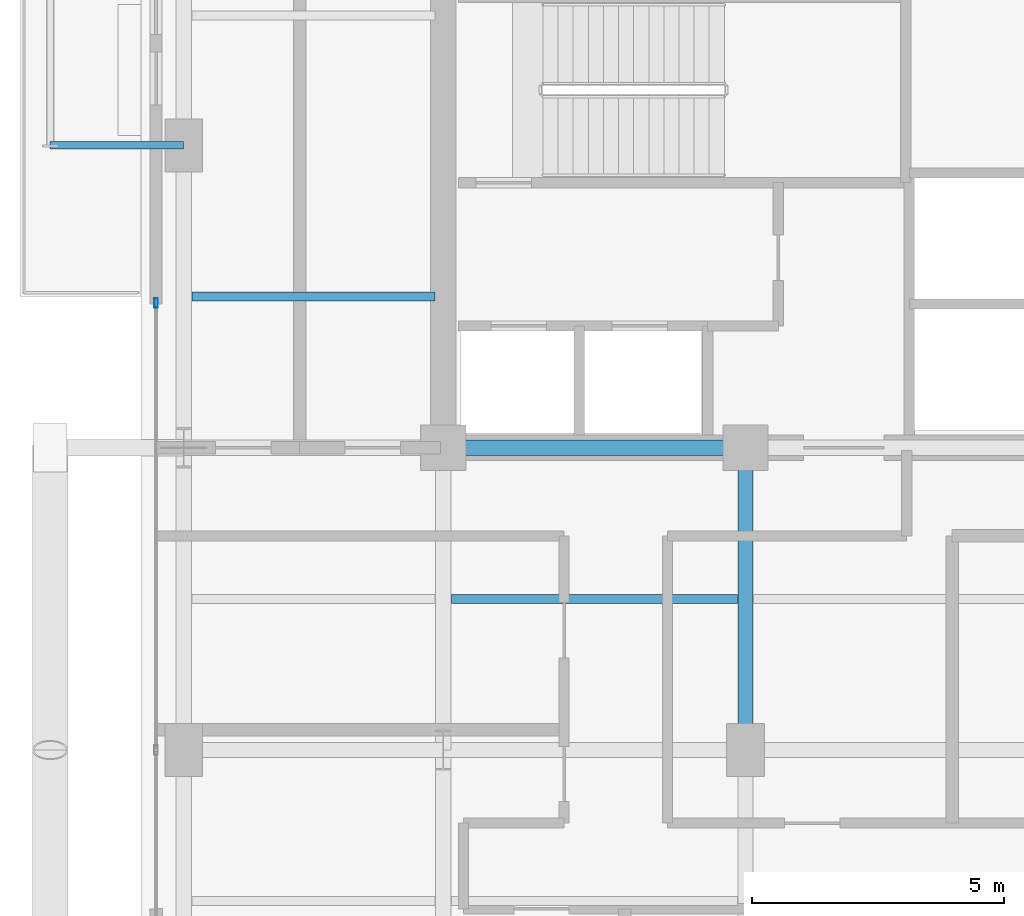
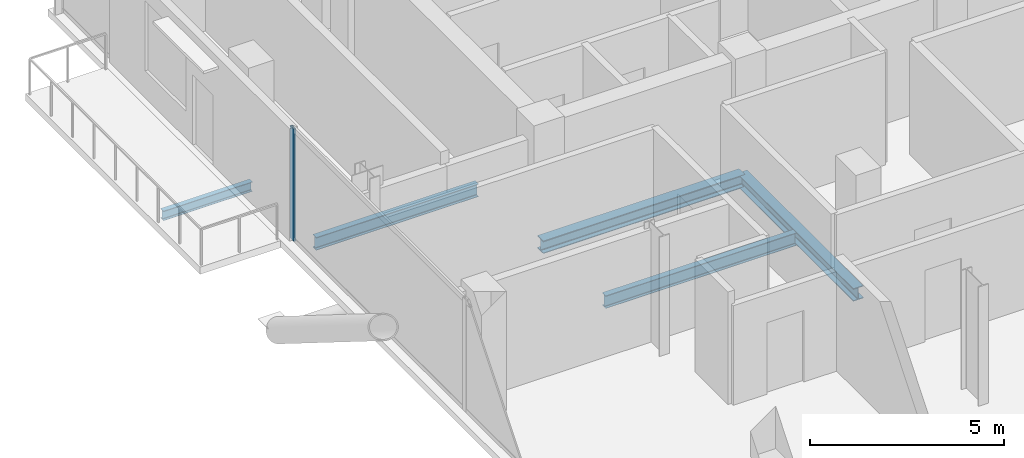
# One storey, part 7 of 26: 5 beams, 1 member, 1 element without a shape of its own.
"""IFC4 building model written with IfcOpenShell, lengths in metres."""

from ifc_helpers import new_model, si_unit, direction, frame, origin, origin_2d, place, context, subcontext, project, spatial, hollow_rectangle, i_section, extrude, material, layer, layer_set, material_profile, profile_set, type_object, element, aggregate, save


model = new_model("IFC4")

# Units and contexts
model_context = context("Model", 3, precision=1e-05, world=origin(), true_north=direction((0.0, 1.0)))
body_context = subcontext(model_context, "Body", "Model", "MODEL_VIEW")
ifc_project = project(units=[si_unit("LENGTHUNIT", "METRE"), si_unit("AREAUNIT", "SQUARE_METRE"), si_unit("VOLUMEUNIT", "CUBIC_METRE"), si_unit("PLANEANGLEUNIT", "RADIAN"), si_unit("MASSUNIT", "GRAM", prefix="KILO"), si_unit("THERMODYNAMICTEMPERATUREUNIT", "KELVIN"), si_unit("POWERUNIT", "WATT")], contexts=[model_context])

# Site, building, storey
site_placement = place(None, origin())
site = spatial("IfcSite", under=ifc_project, at=site_placement, CompositionType="ELEMENT")
building_placement = place(site_placement, origin())
building = spatial("IfcBuilding", under=site, at=building_placement, Name="Svarakhadi Broadcast Tower", CompositionType="ELEMENT")
storey_placement = place(building_placement, frame((0.0, 0.0, 180.449951171875)))
storey = spatial("IfcBuildingStorey", under=building, at=storey_placement, Name="L44", CompositionType="ELEMENT", Elevation=180.449951171875)

# Beams
ifc_material_1 = material(Name="Steel S355J2 (IS 2062 E350C)", Category="steel")
ifc_material_profile_1 = material_profile(ifc_material_1, i_section(OverallWidth=0.179931640625, OverallDepth=0.39990234375, WebThickness=0.008544921875, FlangeThickness=0.013427734375, FilletRadius=0.02099609375, at=origin_2d()), Name="NPB 400x180x66")
ifc_profile_set_1 = profile_set([ifc_material_profile_1], Name="Steel S355J2 (IS 2062 E350C)")
beam_type_1 = type_object("IfcBeamType", Name="Beam_NPB400", PredefinedType="BEAM", material=ifc_profile_set_1)
beam_1_placement = place(storey_placement, frame((1.010009765625, 21.0, -0.409912109375), z_axis=(1.0, 0.0, 0.0), x_axis=(0.0, 1.0, 0.0)))
element("IfcBeam", 1, at=beam_1_placement, inside=storey, type_object=beam_type_1, Name="L44 Secondary Composite Beam SB003", PredefinedType="BEAM", context=body_context, shape_type="SweptSolid", body=[
    extrude(i_section(OverallWidth=0.179931640625, OverallDepth=0.39990234375, WebThickness=0.008544921875, FlangeThickness=0.013427734375, FilletRadius=0.02099609375, at=origin_2d()), origin(), (0.0, 0.0, 1.0), 4.830078125),
])
beam_2_placement = place(storey_placement, frame((6.159912109375, 15.0, -0.409912109375), z_axis=(1.0, 0.0, 0.0), x_axis=(0.0, 1.0, 0.0)))
element("IfcBeam", 2, at=beam_2_placement, inside=storey, type_object=beam_type_1, Name="L44 Secondary Composite Beam SB007", PredefinedType="BEAM", context=body_context, shape_type="SweptSolid", body=[
    extrude(i_section(OverallWidth=0.179931640625, OverallDepth=0.39990234375, WebThickness=0.008544921875, FlangeThickness=0.013427734375, FilletRadius=0.02099609375, at=origin_2d()), origin(), (0.0, 0.0, 1.0), 5.68017578125),
])

# Curtain wall, member
ifc_material_2 = material(Name="Anodised Bronze Aluminium AA 6063-T6", Category="aluminium")
ifc_layer = layer(ifc_material_2, 0.18994140625)
ifc_layer_set = layer_set([ifc_layer], Name="Anodised Bronze Aluminium AA 6063-T6")
curtain_wall_type = type_object("IfcCurtainWallType", Name="CW_Sys_04", PredefinedType="NOTDEFINED", material=ifc_layer_set)
curtain_wall_placement = place(storey_placement, origin())
curtain_wall = element("IfcCurtainWall", 3, at=curtain_wall_placement, inside=storey, type_object=curtain_wall_type, Name="L44 West Curtain Wall 02", PredefinedType="NOTDEFINED")
ifc_material_profile_2 = material_profile(ifc_material_2, hollow_rectangle(XDim=0.070068359375, YDim=0.18994140625, WallThickness=0.005615234375, at=origin_2d()), Name="ALU MULLION 190x70x6")
ifc_profile_set_2 = profile_set([ifc_material_profile_2], Name="Anodised Bronze Aluminium AA 6063-T6")
member_type = type_object("IfcMemberType", Name="CW_Sys_04_Mul", PredefinedType="MULLION", material=ifc_profile_set_2)
member_placement = place(storey_placement, frame((0.300048828125, 20.875, 0.0), z_axis=(0.0, 0.0, 1.0), x_axis=(-1.0, 0.0, 0.0)))
member = element("IfcMember", 4, at=member_placement, type_object=member_type, Name="CW-04 mullion 3", PredefinedType="MULLION", context=body_context, shape_type="SweptSolid", body=[
    extrude(hollow_rectangle(XDim=0.070068359375, YDim=0.18994140625, WallThickness=0.005615234375, at=origin_2d()), origin(), (0.0, 0.0, 1.0), 3.5400390625),
])
aggregate(curtain_wall, [member])

# Beams
ifc_material_profile_3 = material_profile(ifc_material_1, i_section(OverallWidth=0.300048828125, OverallDepth=0.39990234375, WebThickness=0.013427734375, FlangeThickness=0.02392578125, FilletRadius=0.027099609375, at=origin_2d()), Name="WPB 400x300x155")
ifc_profile_set_3 = profile_set([ifc_material_profile_3], Name="Steel S355J2 (IS 2062 E350C)")
beam_type_2 = type_object("IfcBeamType", Name="Girder_WPB400", PredefinedType="USERDEFINED", material=ifc_profile_set_3)
for number, where, z_axis, x_axis, name in (
    (5, (6.0, 18.0, -0.409912109375), (1.0, 0.0, 0.0), (0.0, 1.0, 0.0), "L44 Primary E-W Girder G021"),
    (6, (12.0, 12.0, -0.409912109375), (0.0, 1.0, 0.0), (-1.0, 0.0, 0.0), "L44 Primary N-S Girder G044"),
):
    element("IfcBeam", number, at=place(storey_placement, frame(where, z_axis=z_axis, x_axis=x_axis)), inside=storey, type_object=beam_type_2, Name=name, ObjectType="GIRDER", PredefinedType="USERDEFINED", context=body_context, shape_type="SweptSolid", body=[
        extrude(i_section(OverallWidth=0.300048828125, OverallDepth=0.39990234375, WebThickness=0.013427734375, FlangeThickness=0.02392578125, FilletRadius=0.027099609375, at=origin_2d()), origin(), (0.0, 0.0, 1.0), 6.0),
    ])
ifc_material_profile_4 = material_profile(ifc_material_1, i_section(OverallWidth=0.14990234375, OverallDepth=0.300048828125, WebThickness=0.007080078125, FlangeThickness=0.0107421875, FilletRadius=0.014892578125, at=origin_2d()), Name="NPB 300x150x37")
ifc_profile_set_4 = profile_set([ifc_material_profile_4], Name="Steel S355J2 (IS 2062 E350C)")
beam_type_3 = type_object("IfcBeamType", Name="Spandrel_NPB300", PredefinedType="SPANDREL", material=ifc_profile_set_4)
beam_3_placement = place(storey_placement, frame((0.85009765625, 24.0, -0.375), z_axis=(-1.0, 0.0, 0.0), x_axis=(0.0, -1.0, 0.0)))
element("IfcBeam", 7, at=beam_3_placement, inside=storey, type_object=beam_type_3, Name="L44 Balcony Cantilever Bracket 2A", PredefinedType="SPANDREL", context=body_context, shape_type="SweptSolid", body=[
    extrude(i_section(OverallWidth=0.14990234375, OverallDepth=0.300048828125, WebThickness=0.007080078125, FlangeThickness=0.0107421875, FilletRadius=0.014892578125, at=origin_2d()), origin(), (0.0, 0.0, 1.0), 2.650146484375),
])

save(model, "model.ifc")
